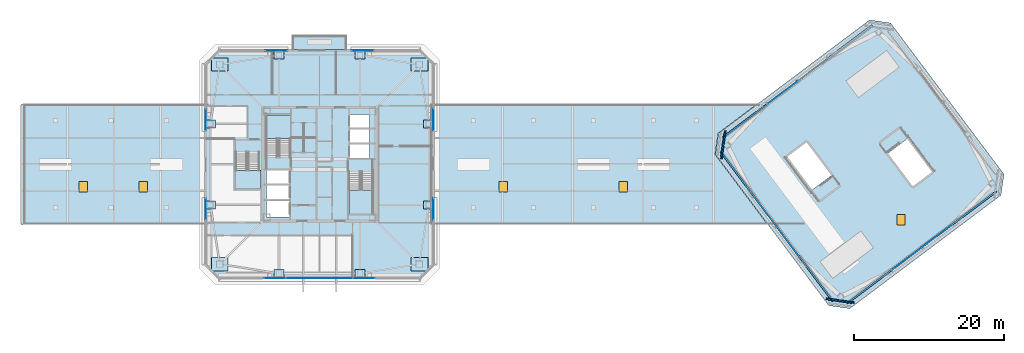
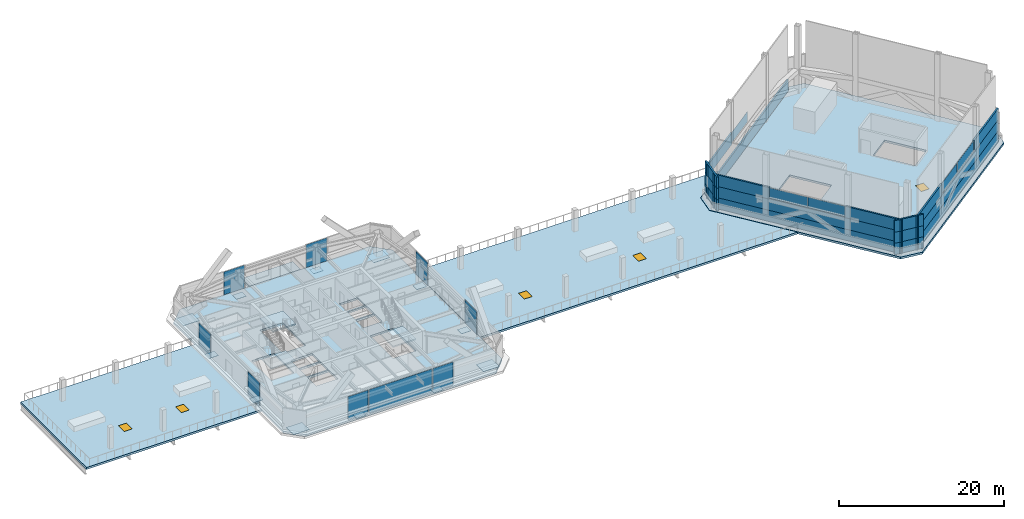
# One storey, part 25 of 37: 42 plates, 8 slabs, 5 doors, 5 openings, 15 elements without a shape of their own.
"""IFC4 building model written with IfcOpenShell, lengths in metres."""

from ifc_helpers import new_model, si_unit, direction, frame, origin, origin_2d, place, context, subcontext, project, spatial, polyline, rectangle, outline, extrude, material, layer, layer_set, type_object, element, fill, aggregate, save


model = new_model("IFC4")

# Units and contexts
model_context = context("Model", 3, precision=1e-05, world=origin(), true_north=direction((0.0, 1.0)))
body_context = subcontext(model_context, "Body", "Model", "MODEL_VIEW")
ifc_project = project(units=[si_unit("LENGTHUNIT", "METRE"), si_unit("AREAUNIT", "SQUARE_METRE"), si_unit("VOLUMEUNIT", "CUBIC_METRE"), si_unit("PLANEANGLEUNIT", "RADIAN"), si_unit("MASSUNIT", "GRAM", prefix="KILO")], contexts=[model_context])

# Site, building, storey
site_placement = place(None, origin())
site = spatial("IfcSite", under=ifc_project, at=site_placement, CompositionType="ELEMENT")
building_placement = place(site_placement, origin())
building = spatial("IfcBuilding", under=site, at=building_placement, Name="Tashvorn Skyway Center", CompositionType="ELEMENT")
storey_placement = place(building_placement, frame((0.0, 0.0, 263.39990234375)))
storey = spatial("IfcBuildingStorey", under=building, at=storey_placement, Name="L71", CompositionType="ELEMENT", Elevation=263.39990234375)

# Curtain wall, plates
ifc_material_1 = material(Name="Thermally broken bronze-anodized aluminium 6063-T6", Category="aluminium")
curtain_wall_type_1 = type_object("IfcCurtainWallType", Name="CW-CW-SKY", PredefinedType="NOTDEFINED", material=ifc_material_1)
curtain_wall_1_placement = place(storey_placement, origin())
curtain_wall_1 = element("IfcCurtainWall", 1, at=curtain_wall_1_placement, inside=storey, type_object=curtain_wall_type_1, Name="CROWN Lantern Fritted Curtain Wall T2 S-3", PredefinedType="NOTDEFINED")
ifc_material_2 = material(Name="Low-E solar-control double insulating safety glass", Category="glass")
ifc_layer_1 = layer(ifc_material_2, 0.028076171875)
ifc_layer_set_1 = layer_set([ifc_layer_1], Name="Low-E solar-control double insulating safety glass")
plate_type_1 = type_object("IfcPlateType", Name="CWP-CW-SKY", PredefinedType="CURTAIN_PANEL", material=ifc_layer_set_1)
plate_1_placement = place(storey_placement, frame((124.299072265625, 22.44921875, 3.39501953125), z_axis=(0.0, 0.0, 1.0), x_axis=(-0.799999999998, -0.600000000002, 0.0)))
plate_1 = element("IfcPlate", 2, at=plate_1_placement, type_object=plate_type_1, Name="CW-SKY panel 1.1", PredefinedType="CURTAIN_PANEL", context=body_context, shape_type="SweptSolid", body=[
    extrude(rectangle(XDim=4.952392578125, YDim=0.028076171875, at=origin_2d()), origin(), (0.0, 0.0, 1.0), 1.534912109375),
])
plate_2_placement = place(storey_placement, frame((120.284912109375, 19.438720703125, 3.39501953125), z_axis=(0.0, 0.0, 1.0), x_axis=(-0.799999999998, -0.600000000002, 0.0)))
plate_2 = element("IfcPlate", 3, at=plate_2_placement, type_object=plate_type_1, Name="CW-SKY panel 2.1", PredefinedType="CURTAIN_PANEL", context=body_context, shape_type="SweptSolid", body=[
    extrude(rectangle(XDim=4.952392578125, YDim=0.028076171875, at=origin_2d()), origin(), (0.0, 0.0, 1.0), 1.534912109375),
])
aggregate(curtain_wall_1, [plate_1, plate_2])

# Curtain wall, plate
curtain_wall_2_placement = place(storey_placement, origin())
curtain_wall_2 = element("IfcCurtainWall", 4, at=curtain_wall_2_placement, inside=storey, type_object=curtain_wall_type_1, Name="CROWN Lantern Fritted Curtain Wall T2 N-3", PredefinedType="NOTDEFINED")
plate_3_placement = place(storey_placement, frame((103.700927734375, 41.55078125, 3.39501953125), z_axis=(0.0, 0.0, 1.0), x_axis=(0.799999999998, 0.600000000002, 0.0)))
plate_3 = element("IfcPlate", 5, at=plate_3_placement, type_object=plate_type_1, Name="CW-SKY panel 1.1", PredefinedType="CURTAIN_PANEL", context=body_context, shape_type="SweptSolid", body=[
    extrude(rectangle(XDim=4.952392578125, YDim=0.028076171875, at=origin_2d()), origin(), (0.0, 0.0, 1.0), 1.534912109375),
])
aggregate(curtain_wall_2, [plate_3])

# Curtain wall, plates
curtain_wall_3_placement = place(storey_placement, origin())
curtain_wall_3 = element("IfcCurtainWall", 6, at=curtain_wall_3_placement, inside=storey, type_object=curtain_wall_type_1, Name="CROWN Lantern Fritted Curtain Wall T2 W-3", PredefinedType="NOTDEFINED")
plate_4_placement = place(storey_placement, frame((104.44921875, 21.700927734375, 3.39501953125), z_axis=(0.0, 0.0, 1.0), x_axis=(-0.600000000002, 0.799999999998, 0.0)))
plate_4 = element("IfcPlate", 7, at=plate_4_placement, type_object=plate_type_1, Name="CW-SKY panel 1.1", PredefinedType="CURTAIN_PANEL", context=body_context, shape_type="SweptSolid", body=[
    extrude(rectangle(XDim=4.952392578125, YDim=0.028076171875, at=origin_2d()), origin(), (0.0, 0.0, 1.0), 1.534912109375),
])
plate_5_placement = place(storey_placement, frame((101.438720703125, 25.715087890625, 3.39501953125), z_axis=(0.0, 0.0, 1.0), x_axis=(-0.600000000002, 0.799999999998, 0.0)))
plate_5 = element("IfcPlate", 8, at=plate_5_placement, type_object=plate_type_1, Name="CW-SKY panel 2.1", PredefinedType="CURTAIN_PANEL", context=body_context, shape_type="SweptSolid", body=[
    extrude(rectangle(XDim=4.952392578125, YDim=0.028076171875, at=origin_2d()), origin(), (0.0, 0.0, 1.0), 1.534912109375),
])
aggregate(curtain_wall_3, [plate_4, plate_5])

# Curtain wall, plate
curtain_wall_type_2 = type_object("IfcCurtainWallType", Name="CW-CW-Z5", PredefinedType="NOTDEFINED", material=ifc_material_1)
curtain_wall_4_placement = place(storey_placement, origin())
curtain_wall_4 = element("IfcCurtainWall", 9, at=curtain_wall_4_placement, inside=storey, type_object=curtain_wall_type_2, Name="Tower 1 L71 South Unitised Curtain Wall Glazing Group 1", PredefinedType="NOTDEFINED")
ifc_layer_2 = layer(ifc_material_2, 0.031982421875)
ifc_layer_set_2 = layer_set([ifc_layer_2], Name="Low-E solar-control double insulating safety glass")
plate_type_2 = type_object("IfcPlateType", Name="CWP-CW-Z5", PredefinedType="CURTAIN_PANEL", material=ifc_layer_set_2)
plate_6_placement = place(storey_placement, frame((47.946533203125, 16.820068359375, 0.0703125), z_axis=(0.0, 0.0, 1.0), x_axis=(-1.0, 0.0, 0.0)))
plate_6 = element("IfcPlate", 10, at=plate_6_placement, type_object=plate_type_2, Name="CW-Z5 panel 1.1", PredefinedType="CURTAIN_PANEL", context=body_context, shape_type="SweptSolid", body=[
    extrude(rectangle(XDim=2.833251953125, YDim=0.031982421875, at=origin_2d()), origin(), (0.0, 0.0, 1.0), 3.409912109375),
])
aggregate(curtain_wall_4, [plate_6])

curtain_wall_5_placement = place(storey_placement, origin())
curtain_wall_5 = element("IfcCurtainWall", 11, at=curtain_wall_5_placement, inside=storey, type_object=curtain_wall_type_2, Name="Tower 1 L71 South Unitised Curtain Wall Glazing Group 2", PredefinedType="NOTDEFINED")
plate_7_placement = place(storey_placement, frame((42.0, 16.820068359375, 0.0703125), z_axis=(0.0, 0.0, 1.0), x_axis=(-1.0, 0.0, 0.0)))
plate_7 = element("IfcPlate", 12, at=plate_7_placement, type_object=plate_type_2, Name="CW-Z5 panel 1.1", PredefinedType="CURTAIN_PANEL", context=body_context, shape_type="SweptSolid", body=[
    extrude(rectangle(XDim=8.780029296875, YDim=0.031982421875, at=origin_2d()), origin(), (0.0, 0.0, 1.0), 3.409912109375),
])
aggregate(curtain_wall_5, [plate_7])

curtain_wall_6_placement = place(storey_placement, origin())
curtain_wall_6 = element("IfcCurtainWall", 13, at=curtain_wall_6_placement, inside=storey, type_object=curtain_wall_type_2, Name="Tower 1 L71 South Unitised Curtain Wall Glazing Group 3", PredefinedType="NOTDEFINED")
plate_8_placement = place(storey_placement, frame((36.053466796875, 16.820068359375, 0.0703125), z_axis=(0.0, 0.0, 1.0), x_axis=(-1.0, 0.0, 0.0)))
plate_8 = element("IfcPlate", 14, at=plate_8_placement, type_object=plate_type_2, Name="CW-Z5 panel 1.1", PredefinedType="CURTAIN_PANEL", context=body_context, shape_type="SweptSolid", body=[
    extrude(rectangle(XDim=2.833251953125, YDim=0.031982421875, at=origin_2d()), origin(), (0.0, 0.0, 1.0), 3.409912109375),
])
aggregate(curtain_wall_6, [plate_8])

curtain_wall_7_placement = place(storey_placement, origin())
curtain_wall_7 = element("IfcCurtainWall", 15, at=curtain_wall_7_placement, inside=storey, type_object=curtain_wall_type_2, Name="Tower 1 L71 West Curtain Wall L Glazing Group 1", PredefinedType="NOTDEFINED")
plate_9_placement = place(storey_placement, frame((26.820068359375, 26.061767578125, 0.0703125), z_axis=(0.0, 0.0, 1.0), x_axis=(0.0, 1.0, 0.0)))
plate_9 = element("IfcPlate", 16, at=plate_9_placement, type_object=plate_type_2, Name="CW-Z5 panel 1.1", PredefinedType="CURTAIN_PANEL", context=body_context, shape_type="SweptSolid", body=[
    extrude(rectangle(XDim=2.836669921875, YDim=0.031982421875, at=origin_2d()), origin(), (0.0, 0.0, 1.0), 3.409912109375),
])
aggregate(curtain_wall_7, [plate_9])

curtain_wall_8_placement = place(storey_placement, origin())
curtain_wall_8 = element("IfcCurtainWall", 17, at=curtain_wall_8_placement, inside=storey, type_object=curtain_wall_type_2, Name="Tower 1 L71 West Curtain Wall R Glazing Group 1", PredefinedType="NOTDEFINED")
plate_10_placement = place(storey_placement, frame((26.820068359375, 37.938232421875, 0.0703125), z_axis=(0.0, 0.0, 1.0), x_axis=(0.0, 1.0, 0.0)))
plate_10 = element("IfcPlate", 18, at=plate_10_placement, type_object=plate_type_2, Name="CW-Z5 panel 1.1", PredefinedType="CURTAIN_PANEL", context=body_context, shape_type="SweptSolid", body=[
    extrude(rectangle(XDim=2.836669921875, YDim=0.031982421875, at=origin_2d()), origin(), (0.0, 0.0, 1.0), 3.409912109375),
])
aggregate(curtain_wall_8, [plate_10])

curtain_wall_9_placement = place(storey_placement, origin())
curtain_wall_9 = element("IfcCurtainWall", 19, at=curtain_wall_9_placement, inside=storey, type_object=curtain_wall_type_2, Name="Tower 1 L71 North Curtain Wall L Glazing Group 1", PredefinedType="NOTDEFINED")
plate_11_placement = place(storey_placement, frame((36.228271484375, 47.179931640625, 0.0703125), z_axis=(0.0, 0.0, 1.0), x_axis=(1.0, 0.0, 0.0)))
plate_11 = element("IfcPlate", 20, at=plate_11_placement, type_object=plate_type_2, Name="CW-Z5 panel 1.1", PredefinedType="CURTAIN_PANEL", context=body_context, shape_type="SweptSolid", body=[
    extrude(rectangle(XDim=2.9033203125, YDim=0.031982421875, at=origin_2d()), origin(), (0.0, 0.0, 1.0), 3.409912109375),
])
aggregate(curtain_wall_9, [plate_11])

curtain_wall_10_placement = place(storey_placement, origin())
curtain_wall_10 = element("IfcCurtainWall", 21, at=curtain_wall_10_placement, inside=storey, type_object=curtain_wall_type_2, Name="Tower 1 L71 North Curtain Wall R Glazing Group 1", PredefinedType="NOTDEFINED")
plate_12_placement = place(storey_placement, frame((47.771728515625, 47.179931640625, 0.0703125), z_axis=(0.0, 0.0, 1.0), x_axis=(1.0, 0.0, 0.0)))
plate_12 = element("IfcPlate", 22, at=plate_12_placement, type_object=plate_type_2, Name="CW-Z5 panel 1.1", PredefinedType="CURTAIN_PANEL", context=body_context, shape_type="SweptSolid", body=[
    extrude(rectangle(XDim=2.9033203125, YDim=0.031982421875, at=origin_2d()), origin(), (0.0, 0.0, 1.0), 3.409912109375),
])
aggregate(curtain_wall_10, [plate_12])

curtain_wall_11_placement = place(storey_placement, origin())
curtain_wall_11 = element("IfcCurtainWall", 23, at=curtain_wall_11_placement, inside=storey, type_object=curtain_wall_type_2, Name="Tower 1 L71 East Curtain Wall L Glazing Group 1", PredefinedType="NOTDEFINED")
plate_13_placement = place(storey_placement, frame((57.179931640625, 37.938232421875, 0.0703125), z_axis=(0.0, 0.0, 1.0), x_axis=(0.0, -1.0, 0.0)))
plate_13 = element("IfcPlate", 24, at=plate_13_placement, type_object=plate_type_2, Name="CW-Z5 panel 1.1", PredefinedType="CURTAIN_PANEL", context=body_context, shape_type="SweptSolid", body=[
    extrude(rectangle(XDim=2.836669921875, YDim=0.031982421875, at=origin_2d()), origin(), (0.0, 0.0, 1.0), 3.409912109375),
])
aggregate(curtain_wall_11, [plate_13])

curtain_wall_12_placement = place(storey_placement, origin())
curtain_wall_12 = element("IfcCurtainWall", 25, at=curtain_wall_12_placement, inside=storey, type_object=curtain_wall_type_2, Name="Tower 1 L71 East Curtain Wall R Glazing Group 1", PredefinedType="NOTDEFINED")
plate_14_placement = place(storey_placement, frame((57.179931640625, 26.061767578125, 0.0703125), z_axis=(0.0, 0.0, 1.0), x_axis=(0.0, -1.0, 0.0)))
plate_14 = element("IfcPlate", 26, at=plate_14_placement, type_object=plate_type_2, Name="CW-Z5 panel 1.1", PredefinedType="CURTAIN_PANEL", context=body_context, shape_type="SweptSolid", body=[
    extrude(rectangle(XDim=2.836669921875, YDim=0.031982421875, at=origin_2d()), origin(), (0.0, 0.0, 1.0), 3.409912109375),
])
aggregate(curtain_wall_12, [plate_14])

# Plates
ifc_material_3 = material(Name="Perforated ceramic-coated bronze aluminium solar screen", Category="aluminium")
ifc_layer_3 = layer(ifc_material_3, 0.219970703125)
ifc_layer_set_3 = layer_set([ifc_layer_3], Name="Perforated ceramic-coated bronze aluminium solar screen")
plate_type_3 = type_object("IfcPlateType", Name="PLT-CROWN-SCREEN", PredefinedType="USERDEFINED", material=ifc_layer_set_3)
for number, where, z_axis, x_axis, name in (
    (27, (122.2919921875, 20.944091796875, -0.02001953125), (0.0, 0.0, 1.0), (0.799999996291, 0.600000004945, 0.0), "CROWN Perforated Ceramic-Metal Solar Screen Panel T2 S-1"),
    (28, (122.2919921875, 20.944091796875, 1.64501953125), (0.0, 0.0, 1.0), (0.799999996291, 0.600000004945, 0.0), "CROWN Perforated Ceramic-Metal Solar Screen Panel T2 S-2"),
):
    element("IfcPlate", number, at=place(storey_placement, frame(where, z_axis=z_axis, x_axis=x_axis)), inside=storey, type_object=plate_type_3, Name=name, ObjectType="SOLAR SCREEN", PredefinedType="USERDEFINED", context=body_context, shape_type="SweptSolid", body=[
        extrude(rectangle(XDim=24.89990234375, YDim=0.219970703125, at=origin_2d()), origin(), (0.0, 0.0, 1.0), 1.705078125),
    ])
for number, where, z_axis, x_axis, name in (
    (29, (129.27197265625, 26.178955078125, 3.31005859375), (0.0, 0.0, 1.0), (0.799999996291, 0.600000004945, 0.0), "CROWN Solar Screen Flanking Panel T2 S-3L"),
    (30, (115.31201171875, 15.708984375, 3.31005859375), (0.0, 0.0, 1.0), (0.799999996291, 0.600000004945, 0.0), "CROWN Solar Screen Flanking Panel T2 S-3R"),
):
    element("IfcPlate", number, at=place(storey_placement, frame(where, z_axis=z_axis, x_axis=x_axis)), inside=storey, type_object=plate_type_3, Name=name, ObjectType="SOLAR SCREEN", PredefinedType="USERDEFINED", context=body_context, shape_type="SweptSolid", body=[
        extrude(rectangle(XDim=7.449951171875, YDim=0.219970703125, at=origin_2d()), origin(), (0.0, 0.0, 1.0), 1.705078125),
    ])
plate_15_placement = place(storey_placement, frame((105.7080078125, 43.055908203125, -0.02001953125), z_axis=(0.0, 0.0, 1.0), x_axis=(-0.799999996291, -0.600000004945, 0.0)))
element("IfcPlate", 31, at=plate_15_placement, inside=storey, type_object=plate_type_3, Name="CROWN Perforated Ceramic-Metal Solar Screen Panel T2 N-1", ObjectType="SOLAR SCREEN", PredefinedType="USERDEFINED", context=body_context, shape_type="SweptSolid", body=[
    extrude(rectangle(XDim=24.89990234375, YDim=0.219970703125, at=origin_2d()), origin(), (0.0, 0.0, 1.0), 1.705078125),
])
plate_16_placement = place(storey_placement, frame((98.72802734375, 37.821044921875, 3.31005859375), z_axis=(0.0, 0.0, 1.0), x_axis=(-0.799999996291, -0.600000004945, 0.0)))
element("IfcPlate", 32, at=plate_16_placement, inside=storey, type_object=plate_type_3, Name="CROWN Solar Screen Flanking Panel T2 N-3L", ObjectType="SOLAR SCREEN", PredefinedType="USERDEFINED", context=body_context, shape_type="SweptSolid", body=[
    extrude(rectangle(XDim=7.449951171875, YDim=0.219970703125, at=origin_2d()), origin(), (0.0, 0.0, 1.0), 1.705078125),
])
for number, where, z_axis, x_axis, name in (
    (33, (102.944091796875, 23.7080078125, -0.02001953125), (0.0, 0.0, 1.0), (0.600000004945, -0.799999996291, 0.0), "CROWN Perforated Ceramic-Metal Solar Screen Panel T2 W-1"),
    (34, (102.944091796875, 23.7080078125, 1.64501953125), (0.0, 0.0, 1.0), (0.600000004945, -0.799999996291, 0.0), "CROWN Perforated Ceramic-Metal Solar Screen Panel T2 W-2"),
):
    element("IfcPlate", number, at=place(storey_placement, frame(where, z_axis=z_axis, x_axis=x_axis)), inside=storey, type_object=plate_type_3, Name=name, ObjectType="SOLAR SCREEN", PredefinedType="USERDEFINED", context=body_context, shape_type="SweptSolid", body=[
        extrude(rectangle(XDim=24.89990234375, YDim=0.219970703125, at=origin_2d()), origin(), (0.0, 0.0, 1.0), 1.705078125),
    ])
for number, where, z_axis, x_axis, name in (
    (35, (108.178955078125, 16.72802734375, 3.31005859375), (0.0, 0.0, 1.0), (0.600000004945, -0.799999996291, 0.0), "CROWN Solar Screen Flanking Panel T2 W-3L"),
    (36, (97.708984375, 30.68798828125, 3.31005859375), (0.0, 0.0, 1.0), (0.600000004945, -0.799999996291, 0.0), "CROWN Solar Screen Flanking Panel T2 W-3R"),
):
    element("IfcPlate", number, at=place(storey_placement, frame(where, z_axis=z_axis, x_axis=x_axis)), inside=storey, type_object=plate_type_3, Name=name, ObjectType="SOLAR SCREEN", PredefinedType="USERDEFINED", context=body_context, shape_type="SweptSolid", body=[
        extrude(rectangle(XDim=7.449951171875, YDim=0.219970703125, at=origin_2d()), origin(), (0.0, 0.0, 1.0), 1.705078125),
    ])
for number, where, z_axis, x_axis, name in (
    (37, (111.40087890625, 13.806884765625, -0.02001953125), (0.0, 0.0, 1.0), (-0.989949494535, 0.141421350118, 0.0), "CROWN Perforated Ceramic-Metal Solar Screen Chamfer Panel T2 SW-1"),
    (38, (111.40087890625, 13.806884765625, 1.64501953125), (0.0, 0.0, 1.0), (-0.989949494535, 0.141421350118, 0.0), "CROWN Perforated Ceramic-Metal Solar Screen Chamfer Panel T2 SW-2"),
    (39, (111.40087890625, 13.806884765625, 3.31005859375), (0.0, 0.0, 1.0), (-0.989949494535, 0.141421350118, 0.0), "CROWN Perforated Ceramic-Metal Solar Screen Chamfer Panel T2 SW-3"),
    (40, (95.806884765625, 34.59912109375, -0.02001953125), (0.0, 0.0, 1.0), (-0.141421350118, -0.989949494535, 0.0), "CROWN Perforated Ceramic-Metal Solar Screen Chamfer Panel T2 NW-1"),
    (41, (95.806884765625, 34.59912109375, 1.64501953125), (0.0, 0.0, 1.0), (-0.141421350118, -0.989949494535, 0.0), "CROWN Perforated Ceramic-Metal Solar Screen Chamfer Panel T2 NW-2"),
    (42, (95.806884765625, 34.59912109375, 3.31005859375), (0.0, 0.0, 1.0), (-0.141421350118, -0.989949494535, 0.0), "CROWN Perforated Ceramic-Metal Solar Screen Chamfer Panel T2 NW-3"),
):
    element("IfcPlate", number, at=place(storey_placement, frame(where, z_axis=z_axis, x_axis=x_axis)), inside=storey, type_object=plate_type_3, Name=name, ObjectType="SOLAR SCREEN", PredefinedType="USERDEFINED", context=body_context, shape_type="SweptSolid", body=[
        extrude(rectangle(XDim=3.795654296875, YDim=0.219970703125, at=origin_2d()), origin(), (0.0, 0.0, 1.0), 1.705078125),
    ])
ifc_material_4 = material(Name="Steel ASTM A572 Grade 50", Category="steel")
ifc_layer_4 = layer(ifc_material_4, 0.050048828125)
ifc_layer_set_4 = layer_set([ifc_layer_4], Name="Steel ASTM A572 Grade 50")
plate_type_4 = type_object("IfcPlateType", Name="PLT-ENDCAP-1650", PredefinedType="USERDEFINED", material=ifc_layer_set_4)
for number, where, z_axis, x_axis, name in (
    (43, (28.699951171875, 18.699951171875, -0.3349609375), (0.0, 0.0, 1.0), (1.0, 0.0, 0.0), "Tower 1 L71 MC-SW Setback Base End Plate"),
    (44, (55.300048828125, 18.699951171875, -0.3349609375), (0.0, 0.0, 1.0), (1.0, 0.0, 0.0), "Tower 1 L71 MC-SE Setback Base End Plate"),
    (45, (55.300048828125, 45.300048828125, -0.3349609375), (0.0, 0.0, 1.0), (1.0, 0.0, 0.0), "Tower 1 L71 MC-NE Setback Base End Plate"),
    (46, (28.699951171875, 45.300048828125, -0.3349609375), (0.0, 0.0, 1.0), (1.0, 0.0, 0.0), "Tower 1 L71 MC-NW Setback Base End Plate"),
):
    element("IfcPlate", number, at=place(storey_placement, frame(where, z_axis=z_axis, x_axis=x_axis)), inside=storey, type_object=plate_type_4, Name=name, ObjectType="END PLATE", PredefinedType="USERDEFINED", context=body_context, shape_type="SweptSolid", body=[
        extrude(rectangle(XDim=2.25, YDim=1.780029296875, at=origin_2d()), origin(), (0.0, 0.0, 1.0), 0.050048828125),
    ])
ifc_layer_5 = layer(ifc_material_4, 0.050048828125)
ifc_layer_set_5 = layer_set([ifc_layer_5], Name="Steel ASTM A572 Grade 50")
plate_type_5 = type_object("IfcPlateType", Name="PLT-ENDCAP-900", PredefinedType="USERDEFINED", material=ifc_layer_set_5)
for number, where, z_axis, x_axis, name in (
    (47, (36.60009765625, 17.449951171875, -0.3349609375), (0.0, 0.0, 1.0), (1.0, 0.0, 0.0), "Tower 1 L71 FC-S1 Setback Base End Plate"),
    (48, (47.39990234375, 17.449951171875, -0.3349609375), (0.0, 0.0, 1.0), (1.0, 0.0, 0.0), "Tower 1 L71 FC-S2 Setback Base End Plate"),
    (49, (56.550048828125, 26.60009765625, -0.3349609375), (0.0, 0.0, 1.0), (1.0, 0.0, 0.0), "Tower 1 L71 FC-E1 Setback Base End Plate"),
    (50, (56.550048828125, 37.39990234375, -0.3349609375), (0.0, 0.0, 1.0), (1.0, 0.0, 0.0), "Tower 1 L71 FC-E2 Setback Base End Plate"),
    (51, (47.39990234375, 46.550048828125, -0.3349609375), (0.0, 0.0, 1.0), (1.0, 0.0, 0.0), "Tower 1 L71 FC-N1 Setback Base End Plate"),
    (52, (36.60009765625, 46.550048828125, -0.3349609375), (0.0, 0.0, 1.0), (1.0, 0.0, 0.0), "Tower 1 L71 FC-N2 Setback Base End Plate"),
    (53, (27.449951171875, 37.39990234375, -0.3349609375), (0.0, 0.0, 1.0), (1.0, 0.0, 0.0), "Tower 1 L71 FC-W1 Setback Base End Plate"),
    (54, (27.449951171875, 26.60009765625, -0.3349609375), (0.0, 0.0, 1.0), (1.0, 0.0, 0.0), "Tower 1 L71 FC-W2 Setback Base End Plate"),
):
    element("IfcPlate", number, at=place(storey_placement, frame(where, z_axis=z_axis, x_axis=x_axis)), inside=storey, type_object=plate_type_5, Name=name, ObjectType="END PLATE", PredefinedType="USERDEFINED", context=body_context, shape_type="SweptSolid", body=[
        extrude(rectangle(XDim=1.35009765625, YDim=1.050048828125, at=origin_2d()), origin(), (0.0, 0.0, 1.0), 0.050048828125),
    ])

# Slab
ifc_material_5 = material(Name="Concrete C50/60", Category="concrete")
ifc_layer_6 = layer(ifc_material_5, 0.300048828125)
ifc_layer_set_6 = layer_set([ifc_layer_6], Name="Concrete C50/60")
slab_type_1 = type_object("IfcSlabType", Name="SLAB-FLR-300", PredefinedType="FLOOR", material=ifc_layer_set_6)
slab_1_placement = place(storey_placement, frame((0.0, 0.0, -0.2998046875)))
element("IfcSlab", 55, at=slab_1_placement, inside=storey, type_object=slab_type_1, Name="Tower 1 L71 Composite Floor Slab", PredefinedType="FLOOR", context=body_context, shape_type="SweptSolid", body=[
    extrude(outline(polyline([(28.699951171875, 16.699951171875), (55.300048828125, 16.699951171875), (57.300048828125, 18.699951171875), (57.300048828125, 45.300048828125), (55.300048828125, 47.300048828125), (28.699951171875, 47.300048828125), (26.699951171875, 45.300048828125), (26.699951171875, 18.699951171875), (28.699951171875, 16.699951171875)]), holes=[polyline([(38.10009765625, 33.080078125), (38.10009765625, 38.60009765625), (34.89990234375, 38.60009765625), (34.89990234375, 33.080078125), (38.10009765625, 33.080078125)]), polyline([(45.89990234375, 30.919921875), (45.89990234375, 25.39990234375), (49.10009765625, 25.39990234375), (49.10009765625, 30.919921875), (45.89990234375, 30.919921875)]), polyline([(30.800048828125, 33.52001953125), (30.800048828125, 28.800048828125), (34.0, 28.800048828125), (34.0, 33.52001953125), (30.800048828125, 33.52001953125)]), polyline([(34.949951171875, 29.35009765625), (37.949951171875, 29.35009765625), (37.949951171875, 31.199951171875), (34.949951171875, 31.199951171875), (34.949951171875, 29.35009765625)]), polyline([(34.949951171875, 27.35009765625), (37.949951171875, 27.35009765625), (37.949951171875, 29.199951171875), (34.949951171875, 29.199951171875), (34.949951171875, 27.35009765625)]), polyline([(34.949951171875, 25.0), (37.949951171875, 25.0), (37.949951171875, 27.14990234375), (34.949951171875, 27.14990234375), (34.949951171875, 25.0)]), polyline([(46.050048828125, 32.800048828125), (48.64990234375, 32.800048828125), (48.64990234375, 34.64990234375), (46.050048828125, 34.64990234375), (46.050048828125, 32.800048828125)]), polyline([(46.050048828125, 34.85009765625), (48.64990234375, 34.85009765625), (48.64990234375, 36.699951171875), (46.050048828125, 36.699951171875), (46.050048828125, 34.85009765625)]), polyline([(46.050048828125, 36.89990234375), (48.64990234375, 36.89990234375), (48.64990234375, 38.64990234375), (46.050048828125, 38.64990234375), (46.050048828125, 36.89990234375)])]), origin(), (0.0, 0.0, 1.0), 0.2998046875),
])

# Stair, slab
ifc_material_6 = material(Name="Concrete C40/50", Category="concrete")
stair_type = type_object("IfcStairType", Name="STAIR-CORE-1500", PredefinedType="HALF_TURN_STAIR", material=ifc_material_6)
stair_1_placement = place(storey_placement, origin())
stair_1 = element("IfcStair", 56, at=stair_1_placement, inside=storey, type_object=stair_type, Name="L71 Tower 1 Exit Stair 1", PredefinedType="HALF_TURN_STAIR")
ifc_layer_7 = layer(ifc_material_6, 0.199951171875)
ifc_layer_set_7 = layer_set([ifc_layer_7], Name="Concrete C40/50")
slab_type_2 = type_object("IfcSlabType", Name="SLAB-LAND-200", PredefinedType="LANDING", material=ifc_layer_set_7)
slab_2_placement = place(storey_placement, frame((0.0, 0.0, 1.5751953125)))
slab_2 = element("IfcSlab", 57, at=slab_2_placement, type_object=slab_type_2, Name="ST-T1-1 landing 1", PredefinedType="LANDING", context=body_context, shape_type="SweptSolid", body=[
    extrude(outline(polyline([(38.10009765625, 35.43994140625), (38.10009765625, 38.60009765625), (34.89990234375, 38.60009765625), (34.89990234375, 35.43994140625), (38.10009765625, 35.43994140625)])), origin(), (0.0, 0.0, 1.0), 0.199951171875),
])
aggregate(stair_1, [slab_2])

stair_2_placement = place(storey_placement, origin())
stair_2 = element("IfcStair", 58, at=stair_2_placement, inside=storey, type_object=stair_type, Name="L71 Tower 1 Exit Stair 2", PredefinedType="HALF_TURN_STAIR")
slab_3_placement = place(storey_placement, frame((0.0, 0.0, 1.5751953125)))
slab_3 = element("IfcSlab", 59, at=slab_3_placement, type_object=slab_type_2, Name="ST-T1-2 landing 1", PredefinedType="LANDING", context=body_context, shape_type="SweptSolid", body=[
    extrude(outline(polyline([(45.89990234375, 28.56005859375), (45.89990234375, 25.39990234375), (49.10009765625, 25.39990234375), (49.10009765625, 28.56005859375), (45.89990234375, 28.56005859375)])), origin(), (0.0, 0.0, 1.0), 0.199951171875),
])
aggregate(stair_2, [slab_3])

stair_3_placement = place(storey_placement, origin())
stair_3 = element("IfcStair", 60, at=stair_3_placement, inside=storey, type_object=stair_type, Name="L71 Tower 1 Exit Stair 3", PredefinedType="HALF_TURN_STAIR")
slab_4_placement = place(storey_placement, frame((0.0, 0.0, 1.5751953125)))
slab_4 = element("IfcSlab", 61, at=slab_4_placement, type_object=slab_type_2, Name="ST-T1-3 landing 1", PredefinedType="LANDING", context=body_context, shape_type="SweptSolid", body=[
    extrude(outline(polyline([(30.800048828125, 31.159912109375), (30.800048828125, 28.800048828125), (34.199951171875, 28.800048828125), (34.199951171875, 31.159912109375), (30.800048828125, 31.159912109375)])), origin(), (0.0, 0.0, 1.0), 0.199951171875),
])
aggregate(stair_3, [slab_4])

# Slab, opening, door
ifc_layer_8 = layer(ifc_material_6, 0.300048828125)
ifc_layer_set_8 = layer_set([ifc_layer_8], Name="Concrete C40/50")
slab_type_3 = type_object("IfcSlabType", Name="SLAB-ROOF-300", PredefinedType="ROOF", material=ifc_layer_set_8)
slab_5_placement = place(storey_placement, frame((0.0, 0.0, -0.2998046875)))
slab_5 = element("IfcSlab", 62, at=slab_5_placement, inside=storey, type_object=slab_type_3, Name="Tower 2 Main Structural Roof Slab", PredefinedType="ROOF", context=body_context, shape_type="SweptSolid", body=[
    extrude(outline(polyline([(112.679931640625, 12.760009765625), (132.840087890625, 27.8798828125), (133.239990234375, 30.679931640625), (118.1201171875, 50.840087890625), (115.320068359375, 51.239990234375), (95.159912109375, 36.1201171875), (94.760009765625, 33.320068359375), (109.8798828125, 13.159912109375), (112.679931640625, 12.760009765625)]), holes=[polyline([(110.23193359375, 30.52392578125), (106.919921875, 34.93994140625), (104.135986328125, 32.85205078125), (107.447998046875, 28.43603515625), (110.23193359375, 30.52392578125)]), polyline([(117.76806640625, 33.47607421875), (121.080078125, 29.06005859375), (123.864013671875, 31.14794921875), (120.552001953125, 35.56396484375), (117.76806640625, 33.47607421875)])]), origin(), (0.0, 0.0, 1.0), 0.2998046875),
])
opening_1_placement = place(slab_5_placement, frame((119.52001953125, 24.639892578125, 0.0)))
opening_1 = element("IfcOpeningElement", 63, at=opening_1_placement, cuts=slab_5, Name="Opening DH-1100", PredefinedType="OPENING", context=body_context, shape_type="SweptSolid", body=[
    extrude(rectangle(XDim=1.10009765625, YDim=1.39990234375, at=origin_2d()), origin(), (0.0, 0.0, 1.0), 0.2998046875),
])
ifc_material_7 = material(Name="Galvanized steel S355", Category="steel")
door_type = type_object("IfcDoorType", Name="HATCH-ROOF-1100", OperationType="SINGLE_SWING_LEFT", PredefinedType="TRAPDOOR", material=ifc_material_7)
door_1_placement = place(opening_1_placement, frame((0.0, 0.0, 0.249755859375)))
door_1 = element("IfcDoor", 64, at=door_1_placement, inside=storey, type_object=door_type, Name="Tower 2 Crown Roof Maintenance Trapdoor", OperationType="SINGLE_SWING_LEFT", OverallHeight=1.39990234375, OverallWidth=1.10009765625, PredefinedType="TRAPDOOR", context=body_context, shape_type="SweptSolid", body=[
    extrude(rectangle(XDim=1.10009765625, YDim=1.39990234375, at=origin_2d()), origin(), (0.0, 0.0, 1.0), 0.050048828125),
])
fill(opening_1, door_1)

# Slab, openings, doors
slab_6_placement = place(storey_placement, frame((0.0, 0.0, -0.2998046875)))
slab_6 = element("IfcSlab", 65, at=slab_6_placement, inside=storey, type_object=slab_type_3, Name="Sky-Park Bridge Roof Deck", PredefinedType="ROOF", context=body_context, shape_type="SweptSolid", body=[
    extrude(outline(polyline([(57.320068359375, 24.0), (57.320068359375, 40.0), (100.283447265625, 40.0), (95.14208984375, 36.14404296875), (95.1396484375, 36.14208984375), (95.1376953125, 36.14013671875), (95.1357421875, 36.1376953125), (95.13427734375, 36.13525390625), (95.1328125, 36.132568359375), (95.131591796875, 36.1298828125), (95.130859375, 36.127197265625), (95.13037109375, 36.124267578125), (94.730224609375, 33.32421875), (94.72998046875, 33.3212890625), (94.72998046875, 33.318359375), (94.73046875, 33.3154296875), (94.73095703125, 33.3125), (94.731689453125, 33.309814453125), (94.73291015625, 33.30712890625), (94.734375, 33.304443359375), (94.736083984375, 33.302001953125), (101.71240234375, 24.0), (57.320068359375, 24.0)])), origin(), (0.0, 0.0, 1.0), 0.2998046875),
])
opening_2_placement = place(slab_6_placement, frame((66.5, 29.0, 0.0)))
opening_2 = element("IfcOpeningElement", 66, at=opening_2_placement, cuts=slab_6, Name="Opening DH-1100", PredefinedType="OPENING", context=body_context, shape_type="SweptSolid", body=[
    extrude(rectangle(XDim=1.10009765625, YDim=1.39990234375, at=origin_2d()), origin(), (0.0, 0.0, 1.0), 0.2998046875),
])
opening_3_placement = place(slab_6_placement, frame((82.5, 29.0, 0.0)))
opening_3 = element("IfcOpeningElement", 67, at=opening_3_placement, cuts=slab_6, Name="Opening DH-1100", PredefinedType="OPENING", context=body_context, shape_type="SweptSolid", body=[
    extrude(rectangle(XDim=1.10009765625, YDim=1.39990234375, at=origin_2d()), origin(), (0.0, 0.0, 1.0), 0.2998046875),
])
door_2_placement = place(opening_2_placement, frame((0.0, 0.0, 0.249755859375)))
door_2 = element("IfcDoor", 68, at=door_2_placement, inside=storey, type_object=door_type, Name="Sky-Park Roof Maintenance Access Hatch 1", OperationType="SINGLE_SWING_LEFT", OverallHeight=1.39990234375, OverallWidth=1.10009765625, PredefinedType="TRAPDOOR", context=body_context, shape_type="SweptSolid", body=[
    extrude(rectangle(XDim=1.10009765625, YDim=1.39990234375, at=origin_2d()), origin(), (0.0, 0.0, 1.0), 0.050048828125),
])
fill(opening_2, door_2)
door_3_placement = place(opening_3_placement, frame((0.0, 0.0, 0.249755859375)))
door_3 = element("IfcDoor", 69, at=door_3_placement, inside=storey, type_object=door_type, Name="Sky-Park Roof Maintenance Access Hatch 2", OperationType="SINGLE_SWING_LEFT", OverallHeight=1.39990234375, OverallWidth=1.10009765625, PredefinedType="TRAPDOOR", context=body_context, shape_type="SweptSolid", body=[
    extrude(rectangle(XDim=1.10009765625, YDim=1.39990234375, at=origin_2d()), origin(), (0.0, 0.0, 1.0), 0.050048828125),
])
fill(opening_3, door_3)

slab_7_placement = place(storey_placement, frame((0.0, 0.0, -0.2998046875)))
slab_7 = element("IfcSlab", 70, at=slab_7_placement, inside=storey, type_object=slab_type_3, Name="Sky-Park West Cantilever Canopy Roof", PredefinedType="ROOF", context=body_context, shape_type="SweptSolid", body=[
    extrude(outline(polyline([(2.199951171875, 24.0), (26.679931640625, 24.0), (26.679931640625, 40.0), (2.199951171875, 40.0), (2.199951171875, 24.0)])), origin(), (0.0, 0.0, 1.0), 0.2998046875),
])
opening_4_placement = place(slab_7_placement, frame((10.5, 29.0, 0.0)))
opening_4 = element("IfcOpeningElement", 71, at=opening_4_placement, cuts=slab_7, Name="Opening DH-1100", PredefinedType="OPENING", context=body_context, shape_type="SweptSolid", body=[
    extrude(rectangle(XDim=1.10009765625, YDim=1.39990234375, at=origin_2d()), origin(), (0.0, 0.0, 1.0), 0.2998046875),
])
opening_5_placement = place(slab_7_placement, frame((18.5, 29.0, 0.0)))
opening_5 = element("IfcOpeningElement", 72, at=opening_5_placement, cuts=slab_7, Name="Opening DH-1100", PredefinedType="OPENING", context=body_context, shape_type="SweptSolid", body=[
    extrude(rectangle(XDim=1.10009765625, YDim=1.39990234375, at=origin_2d()), origin(), (0.0, 0.0, 1.0), 0.2998046875),
])
door_4_placement = place(opening_4_placement, frame((0.0, 0.0, 0.249755859375)))
door_4 = element("IfcDoor", 73, at=door_4_placement, inside=storey, type_object=door_type, Name="Sky-Park Canopy Maintenance Hatch 1", OperationType="SINGLE_SWING_LEFT", OverallHeight=1.39990234375, OverallWidth=1.10009765625, PredefinedType="TRAPDOOR", context=body_context, shape_type="SweptSolid", body=[
    extrude(rectangle(XDim=1.10009765625, YDim=1.39990234375, at=origin_2d()), origin(), (0.0, 0.0, 1.0), 0.050048828125),
])
fill(opening_4, door_4)
door_5_placement = place(opening_5_placement, frame((0.0, 0.0, 0.249755859375)))
door_5 = element("IfcDoor", 74, at=door_5_placement, inside=storey, type_object=door_type, Name="Sky-Park Canopy Maintenance Hatch 2", OperationType="SINGLE_SWING_LEFT", OverallHeight=1.39990234375, OverallWidth=1.10009765625, PredefinedType="TRAPDOOR", context=body_context, shape_type="SweptSolid", body=[
    extrude(rectangle(XDim=1.10009765625, YDim=1.39990234375, at=origin_2d()), origin(), (0.0, 0.0, 1.0), 0.050048828125),
])
fill(opening_5, door_5)

# Slab
ifc_layer_9 = layer(ifc_material_6, 0.179931640625)
ifc_layer_set_9 = layer_set([ifc_layer_9], Name="Concrete C40/50")
slab_type_4 = type_object("IfcSlabType", Name="SLAB-TERR-200", PredefinedType="FLOOR", material=ifc_layer_set_9)
slab_8_placement = place(storey_placement, frame((0.0, 0.0, -0.2998046875)))
element("IfcSlab", 75, at=slab_8_placement, inside=storey, type_object=slab_type_4, Name="Tower 1 L71 Spiral Planted Terrace Slab", PredefinedType="FLOOR", context=body_context, shape_type="SweptSolid", body=[
    extrude(outline(polyline([(38.39990234375, 47.2900390625), (45.60009765625, 47.2900390625), (45.60009765625, 49.199951171875), (38.39990234375, 49.199951171875), (38.39990234375, 47.2900390625)])), origin(), (0.0, 0.0, 1.0), 0.2998046875),
])

save(model, "model.ifc")
